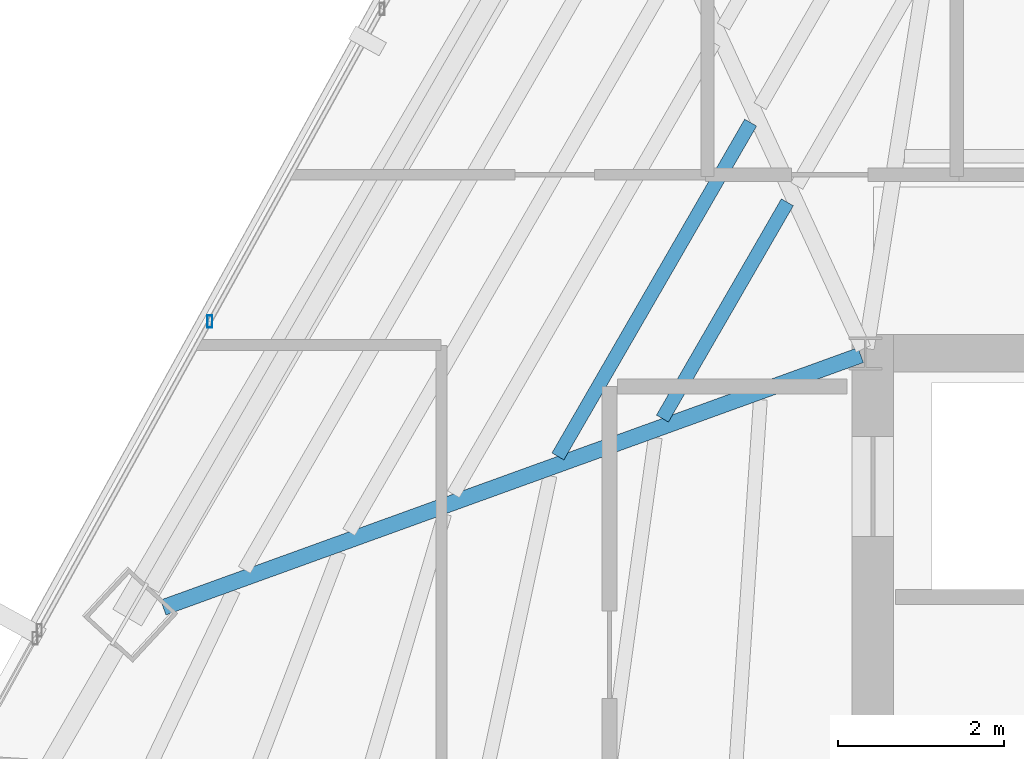
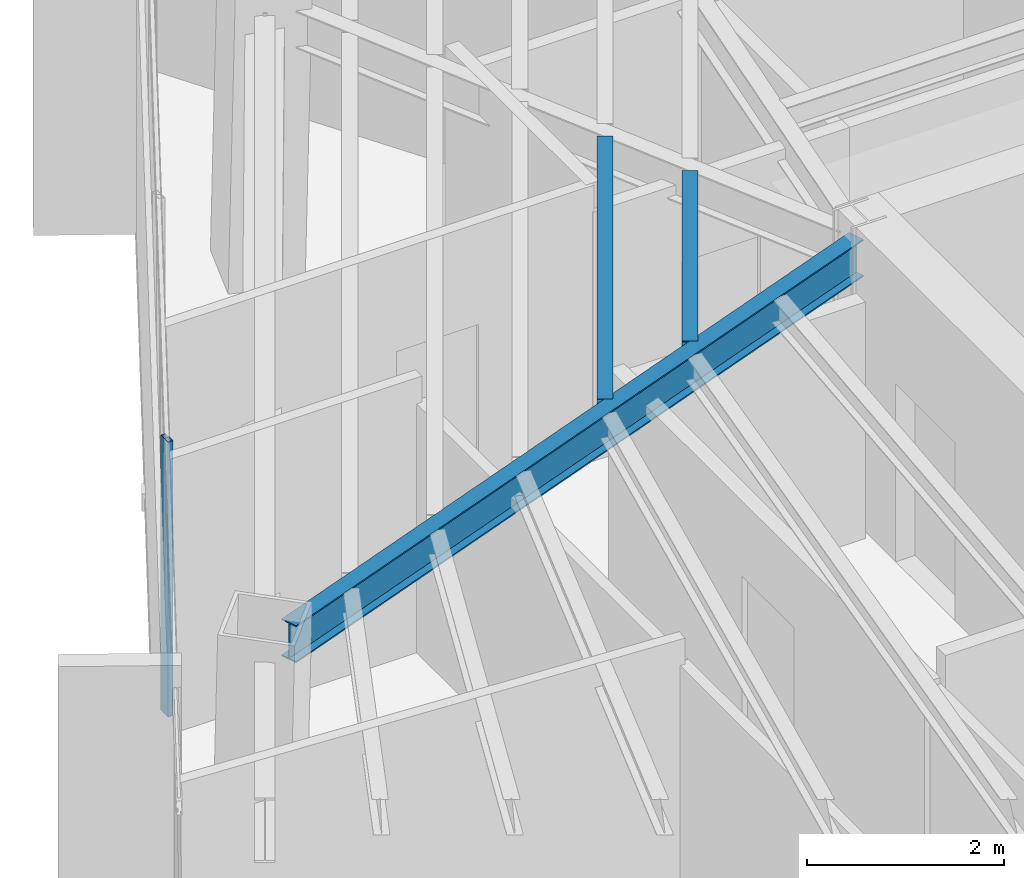
# One storey, part 14 of 41: 3 beams, 1 member, 1 element without a shape of its own.
"""IFC4 building model written with IfcOpenShell, lengths in metres."""

from ifc_helpers import new_model, si_unit, direction, frame, origin, origin_2d, place, context, subcontext, project, spatial, hollow_rectangle, i_section, extrude, source, transform, mapped, material, material_profile, profile_set, type_object, type_shapes, element, aggregate, save


model = new_model("IFC4")

# Units and contexts
model_context = context("Model", 3, precision=1e-05, world=origin(), true_north=direction((0.0, 1.0)))
body_context = subcontext(model_context, "Body", "Model", "MODEL_VIEW")
ifc_project = project(units=[si_unit("LENGTHUNIT", "METRE"), si_unit("AREAUNIT", "SQUARE_METRE"), si_unit("VOLUMEUNIT", "CUBIC_METRE"), si_unit("PLANEANGLEUNIT", "RADIAN"), si_unit("MASSUNIT", "GRAM", prefix="KILO")], contexts=[model_context])

# Site, building, storey
site_placement = place(None, origin())
site = spatial("IfcSite", under=ifc_project, at=site_placement, CompositionType="ELEMENT")
building_placement = place(site_placement, origin())
building = spatial("IfcBuilding", under=site, at=building_placement, Name="Caelisora Broadcast Tower", CompositionType="ELEMENT")
storey_placement = place(building_placement, frame((0.0, 0.0, 209.60009765625)))
storey = spatial("IfcBuildingStorey", under=building, at=storey_placement, Name="L55", CompositionType="ELEMENT", Elevation=209.60009765625)

# Beams
ifc_material_1 = material(Name="Steel Grade 350 (AS/NZS 3679.1)", Category="steel")
ifc_material_profile_1 = material_profile(ifc_material_1, i_section(OverallWidth=0.19091796875, OverallDepth=0.46044921875, WebThickness=0.010009765625, FlangeThickness=0.01611328125, at=origin_2d()), Name="Steel Grade 350 (AS/NZS 3679.1)")
ifc_profile_set_1 = profile_set([ifc_material_profile_1], Name="Steel Grade 350 (AS/NZS 3679.1)")
beam_type_1 = type_object("IfcBeamType", Name="PG06", PredefinedType="BEAM", material=ifc_profile_set_1)
shared_shape_1 = source(origin(), body_context, "Body", "SweptSolid", [
    extrude(i_section(OverallWidth=0.19091796875, OverallDepth=0.46044921875, WebThickness=0.010009765625, FlangeThickness=0.01611328125, at=origin_2d()), origin(), (0.0, 0.0, 1.0), 8.921142578125),
])
type_shapes(beam_type_1, [shared_shape_1])
beam_1_placement = place(storey_placement, frame((30.443603515625, 29.9794921875, 3.169677734375), z_axis=(-0.940315682297, -0.340303419946, 0.0), x_axis=(0.340303419946, -0.940315682297, 0.0)))
element("IfcBeam", 1, at=beam_1_placement, inside=storey, type_object=beam_type_1, Name="L55 beam PG06", PredefinedType="BEAM", context=body_context, shape_type="MappedRepresentation", body=[
    mapped(shared_shape_1, transform((0.0, 0.0, 0.0), scale=1.0)),
])
ifc_material_profile_2 = material_profile(ifc_material_1, i_section(OverallWidth=0.166015625, OverallDepth=0.30712890625, WebThickness=0.006591796875, FlangeThickness=0.01171875, at=origin_2d()), Name="Steel Grade 350 (AS/NZS 3679.1)")
ifc_profile_set_2 = profile_set([ifc_material_profile_2], Name="Steel Grade 350 (AS/NZS 3679.1)")
beam_type_2 = type_object("IfcBeamType", Name="SB03", PredefinedType="JOIST", material=ifc_profile_set_2)
shared_shape_2 = source(origin(), body_context, "Body", "SweptSolid", [
    extrude(i_section(OverallWidth=0.166015625, OverallDepth=0.30712890625, WebThickness=0.006591796875, FlangeThickness=0.01171875, at=origin_2d()), origin(), (0.0, 0.0, 1.0), 3.00390625),
])
beam_2_placement = place(storey_placement, frame((29.560791015625, 31.817626953125, 3.246337890625), z_axis=(-0.499985098601, -0.86603400694, 0.0), x_axis=(0.86603400694, -0.499985098601, 0.0)))
element("IfcBeam", 2, at=beam_2_placement, inside=storey, type_object=beam_type_2, Name="L55 beam SB03", PredefinedType="JOIST", context=body_context, shape_type="MappedRepresentation", body=[
    mapped(shared_shape_2, transform((0.0, 0.0, 0.0), scale=1.0)),
])
shared_shape_3 = source(origin(), body_context, "Body", "SweptSolid", [
    extrude(i_section(OverallWidth=0.166015625, OverallDepth=0.30712890625, WebThickness=0.006591796875, FlangeThickness=0.01171875, at=origin_2d()), origin(), (0.0, 0.0, 1.0), 4.635986328125),
])
type_shapes(beam_type_2, [shared_shape_2, shared_shape_3])
beam_3_placement = place(storey_placement, frame((29.11962890625, 32.77587890625, 3.246337890625), z_axis=(-0.499979256952, -0.866037379458, 0.0), x_axis=(0.866037379458, -0.499979256952, 0.0)))
element("IfcBeam", 3, at=beam_3_placement, inside=storey, type_object=beam_type_2, Name="L55 beam SB03", PredefinedType="JOIST", context=body_context, shape_type="MappedRepresentation", body=[
    mapped(shared_shape_3, transform((0.0, 0.0, 0.0), scale=1.0)),
])

# Curtain wall, member
ifc_material_2 = material(Name="Unitised Aluminium Insulated Shadow-Box Spandrel Curtain Wall", Category="aluminium")
curtain_wall_type = type_object("IfcCurtainWallType", Name="CW-SP2", PredefinedType="NOTDEFINED", material=ifc_material_2)
curtain_wall_placement = place(storey_placement, origin())
curtain_wall = element("IfcCurtainWall", 4, at=curtain_wall_placement, inside=storey, type_object=curtain_wall_type, Name="L55 curtain wall CW-SP2", PredefinedType="NOTDEFINED")
ifc_material_3 = material(Name="Aluminium 6063-T6 Anodised Terracotta Bronze", Category="aluminium")
ifc_material_profile_3 = material_profile(ifc_material_3, hollow_rectangle(XDim=0.06005859375, YDim=0.14990234375, WallThickness=0.00341796875, at=origin_2d()), Name="Aluminium 6063-T6 Anodised Terracotta Bronze")
ifc_profile_set_3 = profile_set([ifc_material_profile_3], Name="Aluminium 6063-T6 Anodised Terracotta Bronze")
member_type = type_object("IfcMemberType", Name="CWM-03", PredefinedType="MULLION", material=ifc_profile_set_3)
shared_shape_4 = source(origin(), body_context, "Body", "SweptSolid", [
    extrude(hollow_rectangle(XDim=0.06005859375, YDim=0.14990234375, WallThickness=0.00341796875, at=origin_2d()), origin(), (0.0, 0.0, 1.0), 3.39990234375),
])
type_shapes(member_type, [shared_shape_4])
member_placement = place(storey_placement, frame((22.614501953125, 30.38330078125, 0.0), z_axis=(0.0, 0.0, 1.0), x_axis=(1.0, 0.0, 0.0)))
member = element("IfcMember", 5, at=member_placement, type_object=member_type, Name="L55-CW-B10 mullion #1", PredefinedType="MULLION", context=body_context, shape_type="MappedRepresentation", body=[
    mapped(shared_shape_4, transform((0.0, 0.0, 0.0), scale=1.0)),
])
aggregate(curtain_wall, [member])

save(model, "model.ifc")
